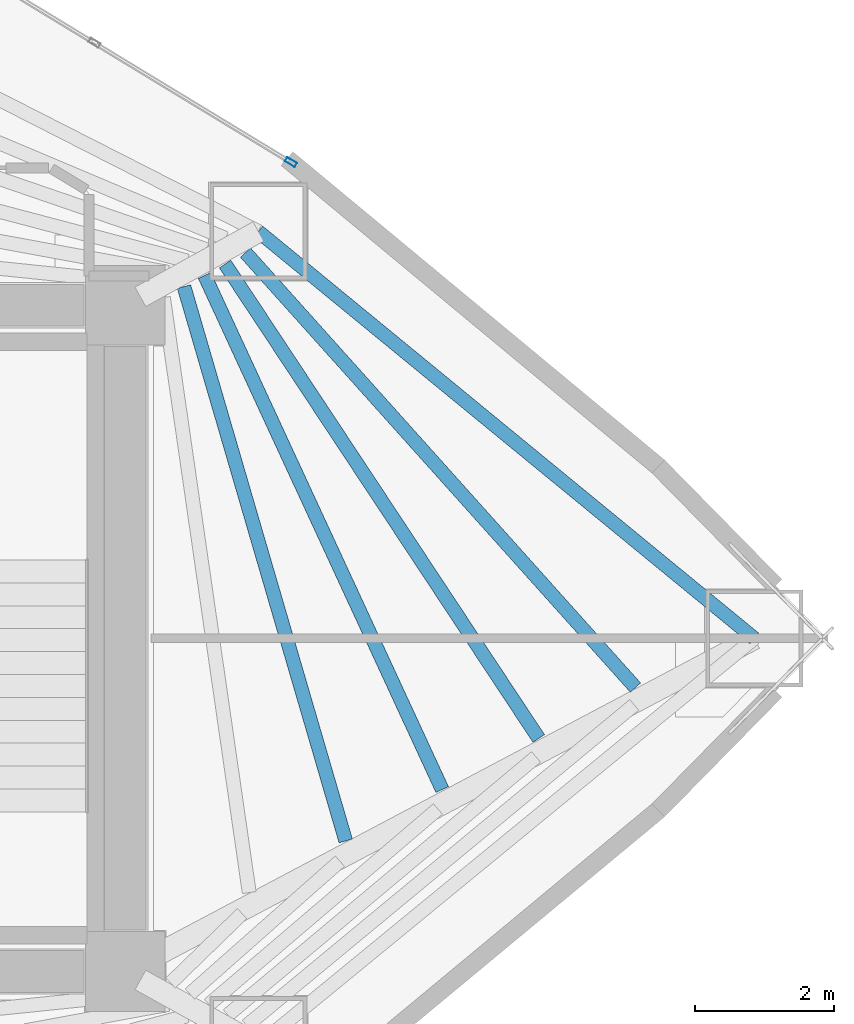
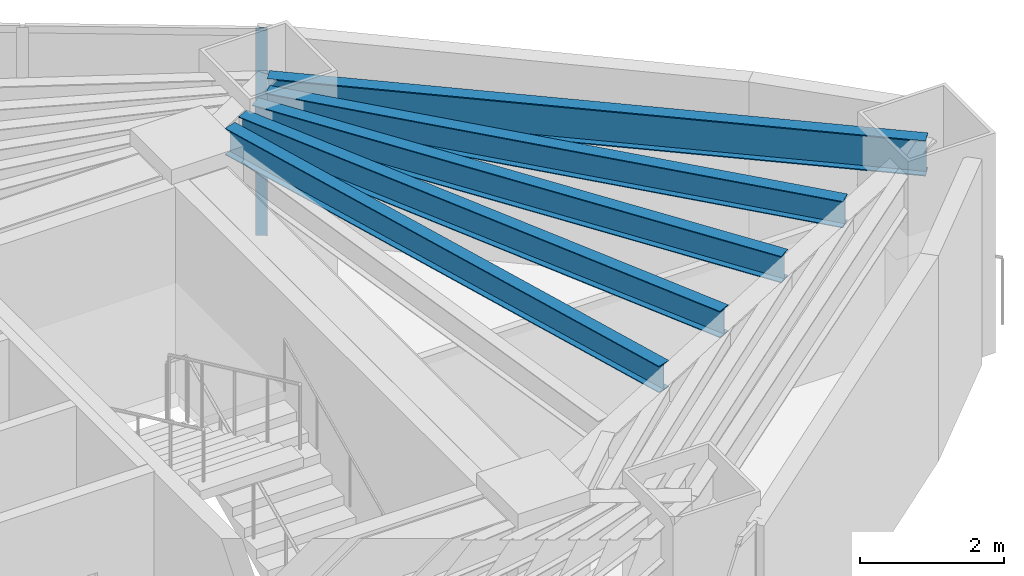
# One storey, part 11 of 18: 5 beams, 1 member, 1 element without a shape of its own.
"""IFC4 building model written with IfcOpenShell, lengths in metres."""

from ifc_helpers import new_model, si_unit, direction, frame, origin, origin_2d, place, context, subcontext, project, spatial, hollow_rectangle, i_section, extrude, material, layer, layer_set, material_profile, profile_set, type_object, element, aggregate, save


model = new_model("IFC4")

# Units and contexts
model_context = context("Model", 3, precision=1e-05, world=origin(), true_north=direction((0.0, 1.0)))
body_context = subcontext(model_context, "Body", "Model", "MODEL_VIEW")
ifc_project = project(units=[si_unit("LENGTHUNIT", "METRE"), si_unit("AREAUNIT", "SQUARE_METRE"), si_unit("VOLUMEUNIT", "CUBIC_METRE"), si_unit("PLANEANGLEUNIT", "RADIAN"), si_unit("MASSUNIT", "GRAM", prefix="KILO")], contexts=[model_context])

# Site, building, storey
site_placement = place(None, origin())
site = spatial("IfcSite", under=ifc_project, at=site_placement, CompositionType="ELEMENT")
building_placement = place(site_placement, origin())
building = spatial("IfcBuilding", under=site, at=building_placement, Name="Menara Vayukalpa", CompositionType="ELEMENT")
storey_placement = place(building_placement, frame((0.0, 0.0, 31.320068359375)))
storey = spatial("IfcBuildingStorey", under=building, at=storey_placement, Name="L06", CompositionType="ELEMENT", Elevation=31.320068359375)

# Beams
ifc_material_1 = material(Name="Steel S355", Category="steel")
ifc_material_profile_1 = material_profile(ifc_material_1, i_section(OverallWidth=0.199951171875, OverallDepth=0.449951171875, WebThickness=0.009033203125, FlangeThickness=0.013916015625, at=origin_2d()), Name="WF 450x200x9x14")
ifc_profile_set_1 = profile_set([ifc_material_profile_1], Name="Steel S355")
beam_type_1 = type_object("IfcBeamType", Name="BM-SJ1", PredefinedType="JOIST", material=ifc_profile_set_1)
beam_1_placement = place(storey_placement, frame((36.577392578125, 19.08203125, 3.244873046875), z_axis=(-0.280127331343, 0.959962852528, 0.0), x_axis=(-0.959962852528, -0.280127331343, 0.0)))
element("IfcBeam", 1, at=beam_1_placement, inside=storey, type_object=beam_type_1, Name="L06 Secondary Floor Joist SJ01-2", PredefinedType="JOIST", context=body_context, shape_type="SweptSolid", body=[
    extrude(i_section(OverallWidth=0.199951171875, OverallDepth=0.449951171875, WebThickness=0.009033203125, FlangeThickness=0.013916015625, at=origin_2d()), origin(), (0.0, 0.0, 1.0), 8.319580078125),
])
beam_2_placement = place(storey_placement, frame((37.96728515625, 19.822021484375, 3.244873046875), z_axis=(-0.419547647921, 0.907733314979, 0.0), x_axis=(-0.907733314979, -0.419547647921, 0.0)))
element("IfcBeam", 2, at=beam_2_placement, inside=storey, type_object=beam_type_1, Name="L06 Secondary Floor Joist SJ01-3", PredefinedType="JOIST", context=body_context, shape_type="SweptSolid", body=[
    extrude(i_section(OverallWidth=0.199951171875, OverallDepth=0.449951171875, WebThickness=0.009033203125, FlangeThickness=0.013916015625, at=origin_2d()), origin(), (0.0, 0.0, 1.0), 8.15966796875),
])
beam_3_placement = place(storey_placement, frame((39.358642578125, 20.557861328125, 3.244873046875), z_axis=(-0.551519467329, 0.834162020927, 0.0), x_axis=(-0.834162020927, -0.551519467329, 0.0)))
element("IfcBeam", 3, at=beam_3_placement, inside=storey, type_object=beam_type_1, Name="L06 Secondary Floor Joist SJ01-4", PredefinedType="JOIST", context=body_context, shape_type="SweptSolid", body=[
    extrude(i_section(OverallWidth=0.199951171875, OverallDepth=0.449951171875, WebThickness=0.009033203125, FlangeThickness=0.013916015625, at=origin_2d()), origin(), (0.0, 0.0, 1.0), 8.19384765625),
])
beam_4_placement = place(storey_placement, frame((40.752685546875, 21.291015625, 3.244873046875), z_axis=(-0.667563308959, 0.744553039435, 0.0), x_axis=(-0.744553039435, -0.667563308959, 0.0)))
element("IfcBeam", 4, at=beam_4_placement, inside=storey, type_object=beam_type_1, Name="L06 Secondary Floor Joist SJ01-5", PredefinedType="JOIST", context=body_context, shape_type="SweptSolid", body=[
    extrude(i_section(OverallWidth=0.199951171875, OverallDepth=0.449951171875, WebThickness=0.009033203125, FlangeThickness=0.013916015625, at=origin_2d()), origin(), (0.0, 0.0, 1.0), 8.419189453125),
])
ifc_material_2 = material(Name="Steel S355", Category="steel")
ifc_material_profile_2 = material_profile(ifc_material_2, i_section(OverallWidth=0.199951171875, OverallDepth=0.60009765625, WebThickness=0.010986328125, FlangeThickness=0.01708984375, at=origin_2d()), Name="WF 600x200x11x17")
ifc_profile_set_2 = profile_set([ifc_material_profile_2], Name="Steel S355")
beam_type_2 = type_object("IfcBeamType", Name="BM-SP1", PredefinedType="SPANDREL", material=ifc_profile_set_2)
beam_5_placement = place(storey_placement, frame((42.46484375, 22.0, 3.169921875), z_axis=(-0.773110561587, 0.63427128231, 0.0), x_axis=(-0.63427128231, -0.773110561587, 0.0)))
element("IfcBeam", 5, at=beam_5_placement, inside=storey, type_object=beam_type_2, Name="L06 Perimeter Spandrel Beam SP01", PredefinedType="SPANDREL", context=body_context, shape_type="SweptSolid", body=[
    extrude(i_section(OverallWidth=0.199951171875, OverallDepth=0.60009765625, WebThickness=0.010986328125, FlangeThickness=0.01708984375, at=origin_2d()), origin(), (0.0, 0.0, 1.0), 9.244140625),
])

# Curtain wall, member
ifc_material_3 = material(Name="Anodised Terracotta Aluminium Alloy 6063-T6", Category="masonry")
ifc_layer = layer(ifc_material_3, 0.1650390625)
ifc_layer_set = layer_set([ifc_layer], Name="Anodised Terracotta Aluminium Alloy 6063-T6")
curtain_wall_type = type_object("IfcCurtainWallType", Name="CW-CW2", PredefinedType="USERDEFINED", material=ifc_layer_set)
curtain_wall_placement = place(storey_placement, origin())
curtain_wall = element("IfcCurtainWall", 6, at=curtain_wall_placement, inside=storey, type_object=curtain_wall_type, Name="L06 Low Rise Terracotta Ribbon Curtain Wall CW2 04", ObjectType="UNITISED", PredefinedType="USERDEFINED")
ifc_material_4 = material(Name="Anodised Terracotta Aluminium Alloy 6063-T6", Category="masonry")
ifc_material_profile_3 = material_profile(ifc_material_4, hollow_rectangle(XDim=0.070068359375, YDim=0.1650390625, WallThickness=0.00390625, at=origin_2d()), Name="ALU 70x165x4")
ifc_profile_set_3 = profile_set([ifc_material_profile_3], Name="Anodised Terracotta Aluminium Alloy 6063-T6")
member_type = type_object("IfcMemberType", Name="CWM-CW2", PredefinedType="MULLION", material=ifc_profile_set_3)
member_placement = place(storey_placement, frame((35.787353515625, 28.861572265625, 0.0), z_axis=(0.0, 0.0, 1.0), x_axis=(-0.519181964377, -0.854663727945, 0.0)))
member = element("IfcMember", 7, at=member_placement, type_object=member_type, Name="CW2 mullion 1", PredefinedType="MULLION", context=body_context, shape_type="SweptSolid", body=[
    extrude(hollow_rectangle(XDim=0.070068359375, YDim=0.1650390625, WallThickness=0.00390625, at=origin_2d()), origin(), (0.0, 0.0, 1.0), 3.469970703125),
])
aggregate(curtain_wall, [member])

save(model, "model.ifc")
